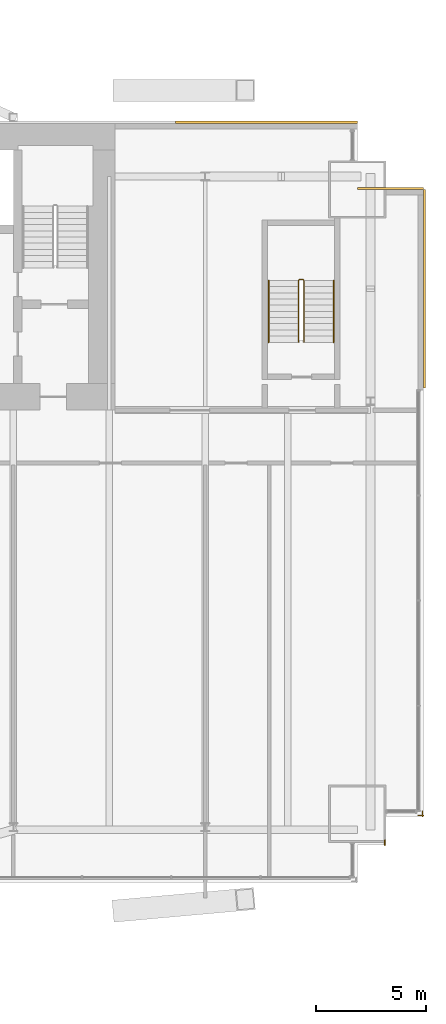
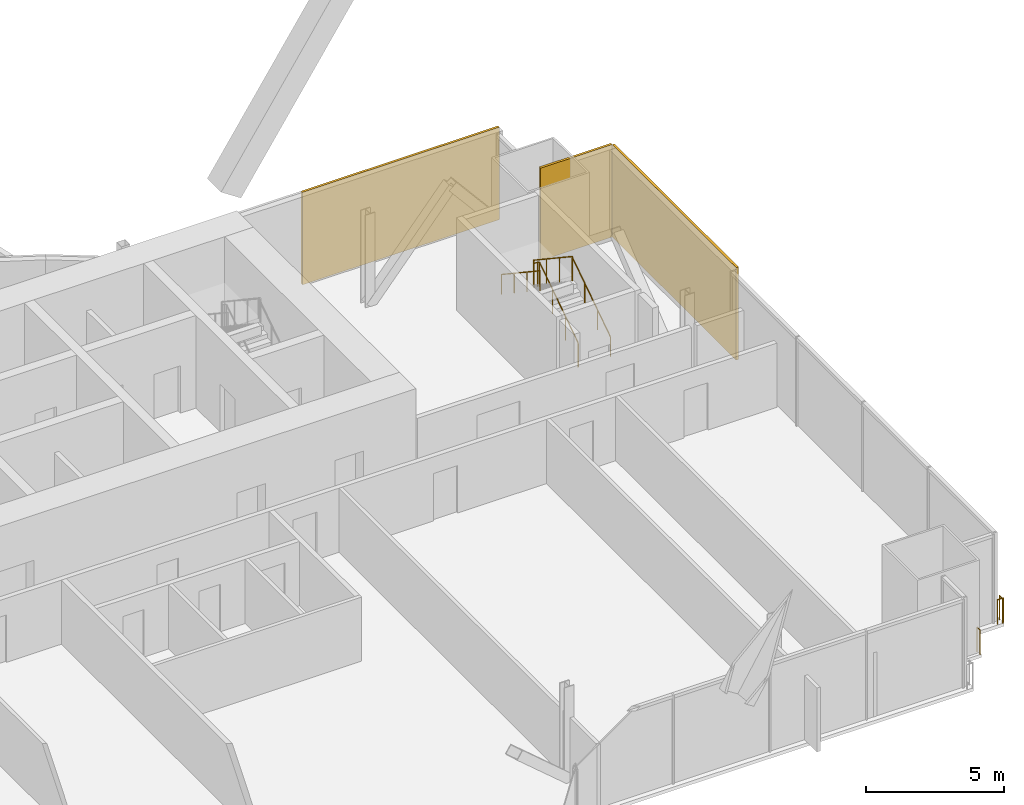
# One storey, part 22 of 22: 5 railings, 3 coverings.
"""IFC4 building model written with IfcOpenShell, lengths in metres."""

from ifc_helpers import new_model, si_unit, direction, frame, origin, origin_2d, place, context, subcontext, project, spatial, rectangle, circle, extrude, material, layer, layer_set, type_object, element, save


model = new_model("IFC4")

# Units and contexts
model_context = context("Model", 3, precision=1e-05, world=origin(), true_north=direction((0.0, 1.0)))
body_context = subcontext(model_context, "Body", "Model", "MODEL_VIEW")
ifc_project = project(units=[si_unit("LENGTHUNIT", "METRE"), si_unit("AREAUNIT", "SQUARE_METRE"), si_unit("VOLUMEUNIT", "CUBIC_METRE"), si_unit("PLANEANGLEUNIT", "RADIAN"), si_unit("MASSUNIT", "GRAM", prefix="KILO")], contexts=[model_context])

# Site, building, storey
site_placement = place(None, origin())
site = spatial("IfcSite", under=ifc_project, at=site_placement, CompositionType="ELEMENT")
building_placement = place(site_placement, origin())
building = spatial("IfcBuilding", under=site, at=building_placement, Name="Bicima Exchange Tower", CompositionType="ELEMENT")
storey_placement = place(building_placement, frame((0.0, 0.0, 169.10009765625)))
storey = spatial("IfcBuildingStorey", under=building, at=storey_placement, Name="L37", CompositionType="ELEMENT", Elevation=169.10009765625)

# Coverings
ifc_material_1 = material(Name="Bronze metal cladding")
ifc_layer_1 = layer(ifc_material_1, 0.004)
ifc_material_2 = material(Name="Ventilated cavity")
ifc_layer_2 = layer(ifc_material_2, 0.06)
ifc_material_3 = material(Name="Galvanised steel rail and mineral wool", Category="steel")
ifc_layer_3 = layer(ifc_material_3, 0.036)
ifc_layer_set = layer_set([ifc_layer_1, ifc_layer_2, ifc_layer_3], Name="Ventilated cavity")
covering_type = type_object("IfcCoveringType", Name="Bronze metal cladding panel 100", PredefinedType="CLADDING", material=ifc_layer_set)
covering_1_placement = place(storey_placement, frame((28.875, 0.050048828125, -0.150146484375), z_axis=(0.0, 0.0, 1.0), x_axis=(-1.0, 0.0, 0.0)))
element("IfcCovering", 1, at=covering_1_placement, inside=storey, type_object=covering_type, Name="Bronze cladding L37 1.1", PredefinedType="CLADDING", context=body_context, shape_type="SweptSolid", body=[
    extrude(rectangle(XDim=8.25, YDim=0.10009765625, at=origin_2d()), origin(), (0.0, 0.0, 1.0), 4.10009765625),
])
covering_2_placement = place(storey_placement, frame((36.050048828125, -7.5, -0.150146484375), z_axis=(0.0, 0.0, 1.0), x_axis=(0.0, 1.0, 0.0)))
element("IfcCovering", 2, at=covering_2_placement, inside=storey, type_object=covering_type, Name="Bronze cladding L37 50.1", PredefinedType="CLADDING", context=body_context, shape_type="SweptSolid", body=[
    extrude(rectangle(XDim=9.0, YDim=0.10009765625, at=origin_2d()), origin(), (0.0, 0.0, 1.0), 4.10009765625),
])
covering_3_placement = place(storey_placement, frame((34.5, -2.949951171875, -0.150146484375), z_axis=(0.0, 0.0, 1.0), x_axis=(-1.0, 0.0, 0.0)))
element("IfcCovering", 3, at=covering_3_placement, inside=storey, type_object=covering_type, Name="Bronze cladding L37 51.1", PredefinedType="CLADDING", context=body_context, shape_type="SweptSolid", body=[
    extrude(rectangle(XDim=3.0, YDim=0.10009765625, at=origin_2d()), origin(), (0.0, 0.0, 1.0), 4.10009765625),
])

# Railings
ifc_material_4 = material(Name="Stainless steel and bonded safety glass", Category="steel")
railing_type_1 = type_object("IfcRailingType", Name="Edge guard 1100", PredefinedType="GUARDRAIL", material=ifc_material_4)
railing_1_placement = place(storey_placement, frame((35.949951171875, -31.18701171875, 0.0)))
element("IfcRailing", 4, at=railing_1_placement, inside=storey, type_object=railing_type_1, Name="Edge guard L37 186", PredefinedType="GUARDRAIL", context=body_context, shape_type="SweptSolid", body=[
    extrude(circle(Radius=0.02392578125, at=origin_2d()), frame((0.0, 0.0, 1.076171875), z_axis=(0.0, -1.0, 0.0), x_axis=(1.0, 0.0, 0.0)), (0.0, 0.0, 1.0), 0.2490234375),
    extrude(circle(Radius=0.02392578125, at=origin_2d()), frame((0.0, -0.2490234375, 1.076171875), z_axis=(0.707106781187, 0.707106781187, 0.0), x_axis=(-0.707106781187, 0.707106781187, 0.0)), (0.0, 0.0, 1.0), 0.07080078125),
    extrude(circle(Radius=0.02392578125, at=origin_2d()), frame((0.050048828125, -0.198974609375, 1.076171875), z_axis=(-1.0, 0.0, 0.0), x_axis=(0.0, -1.0, 0.0)), (0.0, 0.0, 1.0), 0.242919921875),
    extrude(circle(Radius=0.02099609375, at=origin_2d()), origin(), (0.0, 0.0, 1.0), 1.052001953125),
    extrude(circle(Radius=0.02099609375, at=origin_2d()), frame((0.0, -0.2490234375, 0.0)), (0.0, 0.0, 1.0), 1.052001953125),
    extrude(circle(Radius=0.02099609375, at=origin_2d()), frame((0.050048828125, -0.198974609375, 0.0)), (0.0, 0.0, 1.0), 1.052001953125),
    extrude(circle(Radius=0.02099609375, at=origin_2d()), frame((-0.19287109375, -0.198974609375, 0.0)), (0.0, 0.0, 1.0), 1.052001953125),
])
railing_2_placement = place(storey_placement, frame((34.25, -32.51904296875, 0.0)))
element("IfcRailing", 5, at=railing_2_placement, inside=storey, type_object=railing_type_1, Name="Edge guard L37 187", PredefinedType="GUARDRAIL", context=body_context, shape_type="SweptSolid", body=[
    extrude(circle(Radius=0.02392578125, at=origin_2d()), frame((0.0, 0.0, 1.076171875), z_axis=(0.0, -1.0, 0.0), x_axis=(1.0, 0.0, 0.0)), (0.0, 0.0, 1.0), 0.217041015625),
    extrude(circle(Radius=0.02099609375, at=origin_2d()), origin(), (0.0, 0.0, 1.0), 1.052001953125),
    extrude(circle(Radius=0.02099609375, at=origin_2d()), frame((0.0, -0.217041015625, 0.0)), (0.0, 0.0, 1.0), 1.052001953125),
])
ifc_material_5 = material(Name="Stainless steel", Category="steel")
railing_type_2 = type_object("IfcRailingType", Name="Stair guard 1100", PredefinedType="GUARDRAIL", material=ifc_material_5)
railing_3_placement = place(storey_placement, frame((30.574951171875, -9.925048828125, 0.186279296875)))
element("IfcRailing", 6, at=railing_3_placement, inside=storey, type_object=railing_type_2, Name="L37 ST-EE stair guard 1", PredefinedType="GUARDRAIL", context=body_context, shape_type="SweptSolid", body=[
    extrude(circle(Radius=0.02392578125, at=origin_2d()), frame((0.0, 0.0, 1.076171875), z_axis=(0.0, 0.832485552168, 0.554046753832), x_axis=(-1.0, 0.0, 0.0)), (0.0, 0.0, 1.0), 3.363525390625),
    extrude(circle(Radius=0.02392578125, at=origin_2d()), frame((0.0, 2.800048828125, 2.939453125), z_axis=(-0.707106781187, 0.707106781187, 0.0), x_axis=(-0.707106781187, -0.707106781187, 0.0)), (0.0, 0.0, 1.0), 0.07080078125),
    extrude(circle(Radius=0.02392578125, at=origin_2d()), frame((-0.050048828125, 2.85009765625, 2.939453125), z_axis=(-1.0, 0.0, 0.0), x_axis=(0.0, -1.0, 0.0)), (0.0, 0.0, 1.0), 0.14990234375),
    extrude(circle(Radius=0.02392578125, at=origin_2d()), frame((-0.199951171875, 2.85009765625, 2.939453125), z_axis=(-0.250869701741, -0.250869701741, 0.934948546978), x_axis=(0.707106781187, -0.707106781187, 0.0)), (0.0, 0.0, 1.0), 0.199462890625),
    extrude(circle(Radius=0.02392578125, at=origin_2d()), frame((-0.25, 2.800048828125, 3.1259765625), z_axis=(0.0, -0.832485552168, 0.554046753832), x_axis=(1.0, 0.0, 0.0)), (0.0, 0.0, 1.0), 3.363525390625),
    extrude(circle(Radius=0.02099609375, at=origin_2d()), origin(), (0.0, 0.0, 1.0), 1.052001953125),
    extrude(circle(Radius=0.02099609375, at=origin_2d()), frame((0.0, 0.933349609375, 0.62109375)), (0.0, 0.0, 1.0), 1.052001953125),
    extrude(circle(Radius=0.02099609375, at=origin_2d()), frame((0.0, 1.86669921875, 1.242431640625)), (0.0, 0.0, 1.0), 1.052001953125),
    extrude(circle(Radius=0.02099609375, at=origin_2d()), frame((0.0, 2.800048828125, 1.863525390625)), (0.0, 0.0, 1.0), 1.052001953125),
    extrude(circle(Radius=0.02099609375, at=origin_2d()), frame((-0.050048828125, 2.85009765625, 1.863525390625)), (0.0, 0.0, 1.0), 1.052001953125),
    extrude(circle(Radius=0.02099609375, at=origin_2d()), frame((-0.199951171875, 2.85009765625, 1.863525390625)), (0.0, 0.0, 1.0), 1.052001953125),
    extrude(circle(Radius=0.02099609375, at=origin_2d()), frame((-0.25, 2.800048828125, 2.050048828125)), (0.0, 0.0, 1.0), 1.052001953125),
    extrude(circle(Radius=0.02099609375, at=origin_2d()), frame((-0.25, 1.86669921875, 2.671142578125)), (0.0, 0.0, 1.0), 1.052001953125),
    extrude(circle(Radius=0.02099609375, at=origin_2d()), frame((-0.25, 0.933349609375, 3.29248046875)), (0.0, 0.0, 1.0), 1.052001953125),
    extrude(circle(Radius=0.02099609375, at=origin_2d()), frame((-0.25, 0.0, 3.91357421875)), (0.0, 0.0, 1.0), 1.052001953125),
])
railing_type_3 = type_object("IfcRailingType", Name="Stair handrail 900", PredefinedType="HANDRAIL", material=ifc_material_5)
railing_4_placement = place(storey_placement, frame((31.925048828125, -9.925048828125, 0.186279296875)))
element("IfcRailing", 7, at=railing_4_placement, inside=storey, type_object=railing_type_3, Name="L37 ST-EE stair handrail 1", PredefinedType="HANDRAIL", context=body_context, shape_type="SweptSolid", body=[
    extrude(circle(Radius=0.02392578125, at=origin_2d()), frame((0.0, 0.0, 0.8759765625), z_axis=(0.0, 0.832485552168, 0.554046753832), x_axis=(-1.0, 0.0, 0.0)), (0.0, 0.0, 1.0), 3.363525390625),
    extrude(circle(Radius=0.02099609375, at=origin_2d()), origin(), (0.0, 0.0, 1.0), 0.851806640625),
    extrude(circle(Radius=0.02099609375, at=origin_2d()), frame((0.0, 0.933349609375, 0.62109375)), (0.0, 0.0, 1.0), 0.851806640625),
    extrude(circle(Radius=0.02099609375, at=origin_2d()), frame((0.0, 1.86669921875, 1.242431640625)), (0.0, 0.0, 1.0), 0.851806640625),
    extrude(circle(Radius=0.02099609375, at=origin_2d()), frame((0.0, 2.800048828125, 1.863525390625)), (0.0, 0.0, 1.0), 0.851806640625),
])
railing_5_placement = place(storey_placement, frame((28.97509765625, -7.125, 2.276611328125)))
element("IfcRailing", 8, at=railing_5_placement, inside=storey, type_object=railing_type_3, Name="L37 ST-EE stair handrail 2", PredefinedType="HANDRAIL", context=body_context, shape_type="SweptSolid", body=[
    extrude(circle(Radius=0.02392578125, at=origin_2d()), frame((0.0, 0.0, 0.8759765625), z_axis=(0.0, -0.832452072856, 0.554097055034), x_axis=(1.0, 0.0, 0.0)), (0.0, 0.0, 1.0), 3.363525390625),
    extrude(circle(Radius=0.02099609375, at=origin_2d()), origin(), (0.0, 0.0, 1.0), 0.851806640625),
    extrude(circle(Radius=0.02099609375, at=origin_2d()), frame((0.0, -0.933349609375, 0.621337890625)), (0.0, 0.0, 1.0), 0.851806640625),
    extrude(circle(Radius=0.02099609375, at=origin_2d()), frame((0.0, -1.86669921875, 1.242431640625)), (0.0, 0.0, 1.0), 0.851806640625),
    extrude(circle(Radius=0.02099609375, at=origin_2d()), frame((0.0, -2.800048828125, 1.86376953125)), (0.0, 0.0, 1.0), 0.851806640625),
])

save(model, "model.ifc")
